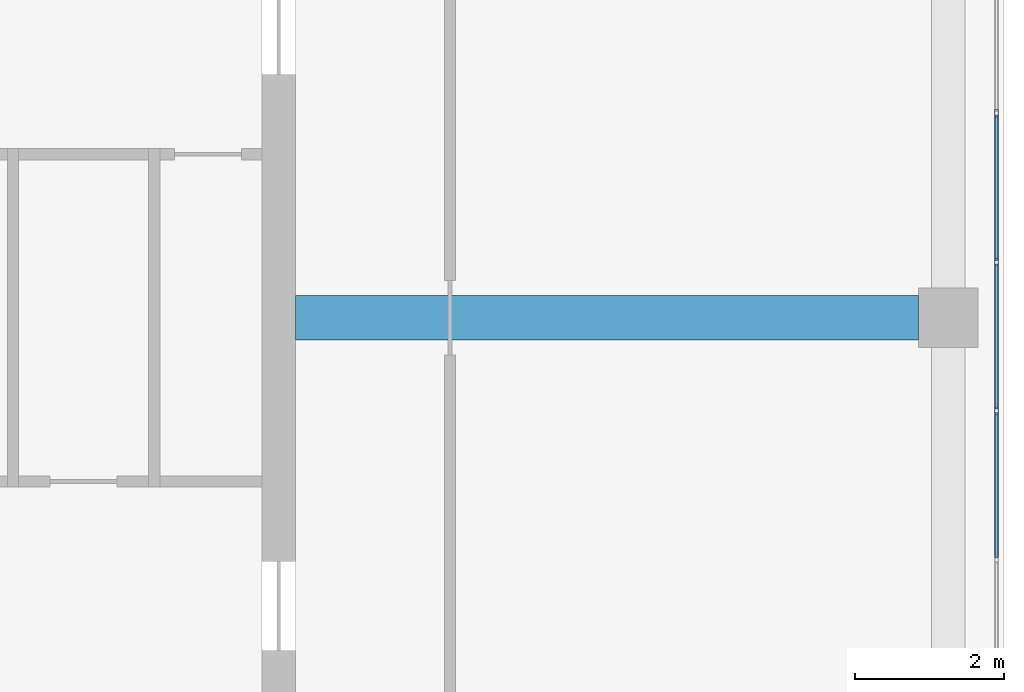
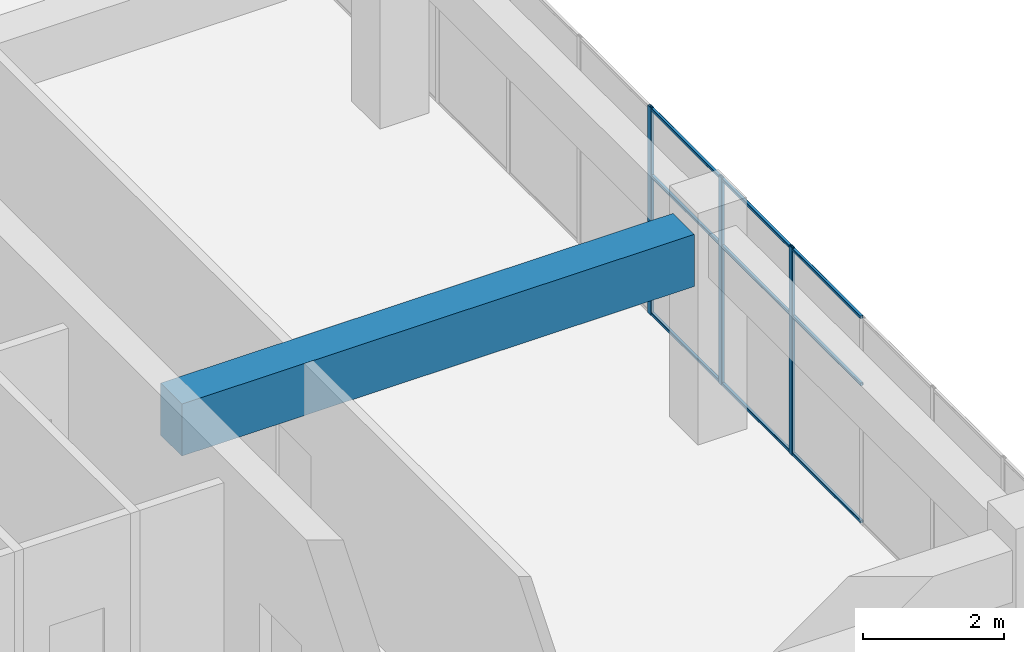
# One storey, part 49 of 72: 12 members, 1 beam, 1 element without a shape of its own.
"""IFC4 building model written with IfcOpenShell, lengths in metres."""

from ifc_helpers import new_model, si_unit, direction, frame, origin, origin_2d, place, context, subcontext, project, spatial, rectangle, hollow_rectangle, extrude, material, layer, layer_set, material_profile, profile_set, type_object, element, aggregate, save


model = new_model("IFC4")

# Units and contexts
model_context = context("Model", 3, precision=1e-05, world=origin(), true_north=direction((0.0, 1.0)))
body_context = subcontext(model_context, "Body", "Model", "MODEL_VIEW")
ifc_project = project(units=[si_unit("LENGTHUNIT", "METRE"), si_unit("AREAUNIT", "SQUARE_METRE"), si_unit("VOLUMEUNIT", "CUBIC_METRE"), si_unit("PLANEANGLEUNIT", "RADIAN"), si_unit("MASSUNIT", "GRAM", prefix="KILO")], contexts=[model_context])

# Site, building, storey
site_placement = place(None, origin())
site = spatial("IfcSite", under=ifc_project, at=site_placement, CompositionType="ELEMENT")
building_placement = place(site_placement, origin())
building = spatial("IfcBuilding", under=site, at=building_placement, Name="Tuart Plaza Theatre", CompositionType="ELEMENT")
storey_placement = place(building_placement, frame((0.0, 0.0, 13.5)))
storey = spatial("IfcBuildingStorey", under=building, at=storey_placement, Name="L03", CompositionType="ELEMENT", Elevation=13.5)

# Beam
ifc_material_1 = material(Name="Concrete N40 (40 MPa)", Category="concrete")
ifc_material_profile_1 = material_profile(ifc_material_1, rectangle(XDim=0.60009765625, YDim=0.89990234375, at=origin_2d()), Name="BEAM 600x900 Concrete N40 (40 MPa)")
ifc_profile_set_1 = profile_set([ifc_material_profile_1], Name="Concrete N40 (40 MPa)")
beam_type = type_object("IfcBeamType", Name="BEAM 600x900 Concrete N40 (40 MPa)", PredefinedType="BEAM", material=ifc_profile_set_1)
beam_placement = place(storey_placement, frame((141.22509765625, 74.0, 3.1298828125), z_axis=(1.0, 0.0, 0.0), x_axis=(0.0, 1.0, 0.0)))
element("IfcBeam", 1, at=beam_placement, inside=storey, type_object=beam_type, Name="RB195", PredefinedType="BEAM", context=body_context, shape_type="SweptSolid", body=[
    extrude(rectangle(XDim=0.60009765625, YDim=0.89990234375, at=origin_2d()), origin(), (0.0, 0.0, 1.0), 8.375),
])

# Curtain wall, members
ifc_material_2 = material(Name="Aluminium and glass", Category="aluminium")
ifc_layer = layer(ifc_material_2, 0.10009765625)
ifc_layer_set = layer_set([ifc_layer], Name="CURTAIN WALL 2000 module")
curtain_wall_type = type_object("IfcCurtainWallType", Name="CURTAIN WALL 2000 module", PredefinedType="NOTDEFINED", material=ifc_layer_set)
curtain_wall_placement = place(storey_placement, origin())
curtain_wall = element("IfcCurtainWall", 2, at=curtain_wall_placement, inside=storey, type_object=curtain_wall_type, Name="CW69", PredefinedType="NOTDEFINED")
ifc_material_3 = material(Name="Aluminium 6063-T5", Category="aluminium")
ifc_material_profile_2 = material_profile(ifc_material_3, hollow_rectangle(XDim=0.050048828125, YDim=0.10009765625, WallThickness=0.00390625, InnerFilletRadius=0.00390625, OuterFilletRadius=0.008056640625, at=origin_2d()), Name="RHS 100x50x4")
ifc_profile_set_2 = profile_set([ifc_material_profile_2], Name="Aluminium 6063-T5")
member_type_1 = type_object("IfcMemberType", Name="MULLION RHS 100x50x4", PredefinedType="MULLION", material=ifc_profile_set_2)
member_1_placement = place(storey_placement, frame((150.64990234375, 72.75, 0.0), z_axis=(0.0, 0.0, 1.0), x_axis=(-1.0, 0.0, 0.0)))
member_1 = element("IfcMember", 3, at=member_1_placement, type_object=member_type_1, Name="CW69 mullion 12", PredefinedType="MULLION", context=body_context, shape_type="SweptSolid", body=[
    extrude(hollow_rectangle(XDim=0.050048828125, YDim=0.10009765625, WallThickness=0.00390625, InnerFilletRadius=0.00390625, OuterFilletRadius=0.008056640625, at=origin_2d()), origin(), (0.0, 0.0, 1.0), 3.580078125),
])
member_2_placement = place(storey_placement, frame((150.64990234375, 74.75, 0.0), z_axis=(0.0, 0.0, 1.0), x_axis=(-1.0, 0.0, 0.0)))
member_2 = element("IfcMember", 4, at=member_2_placement, type_object=member_type_1, Name="CW69 mullion 13", PredefinedType="MULLION", context=body_context, shape_type="SweptSolid", body=[
    extrude(hollow_rectangle(XDim=0.050048828125, YDim=0.10009765625, WallThickness=0.00390625, InnerFilletRadius=0.00390625, OuterFilletRadius=0.008056640625, at=origin_2d()), origin(), (0.0, 0.0, 1.0), 3.580078125),
])
member_3_placement = place(storey_placement, frame((150.64990234375, 76.75, 0.0), z_axis=(0.0, 0.0, 1.0), x_axis=(-1.0, 0.0, 0.0)))
member_3 = element("IfcMember", 5, at=member_3_placement, type_object=member_type_1, Name="CW69 mullion 14", PredefinedType="MULLION", context=body_context, shape_type="SweptSolid", body=[
    extrude(hollow_rectangle(XDim=0.050048828125, YDim=0.10009765625, WallThickness=0.00390625, InnerFilletRadius=0.00390625, OuterFilletRadius=0.008056640625, at=origin_2d()), origin(), (0.0, 0.0, 1.0), 3.580078125),
])
ifc_material_4 = material(Name="Aluminium 6063-T5", Category="aluminium")
ifc_material_profile_3 = material_profile(ifc_material_4, hollow_rectangle(XDim=0.050048828125, YDim=0.050048828125, WallThickness=0.00390625, InnerFilletRadius=0.00390625, OuterFilletRadius=0.008056640625, at=origin_2d()), Name="RHS 50x50x4")
ifc_profile_set_3 = profile_set([ifc_material_profile_3], Name="Aluminium 6063-T5")
member_type_2 = type_object("IfcMemberType", Name="TRANSOM RHS 50x50x4", PredefinedType="USERDEFINED", material=ifc_profile_set_3)
member_4_placement = place(storey_placement, frame((150.64990234375, 70.77490234375, 0.02490234375), z_axis=(0.0, 1.0, 0.0), x_axis=(-1.0, 0.0, 0.0)))
member_4 = element("IfcMember", 6, at=member_4_placement, type_object=member_type_2, Name="CW69 transom 11.1", ObjectType="TRANSOM", PredefinedType="USERDEFINED", context=body_context, shape_type="SweptSolid", body=[
    extrude(hollow_rectangle(XDim=0.050048828125, YDim=0.050048828125, WallThickness=0.00390625, InnerFilletRadius=0.00390625, OuterFilletRadius=0.008056640625, at=origin_2d()), origin(), (0.0, 0.0, 1.0), 1.9501953125),
])
member_5_placement = place(storey_placement, frame((150.64990234375, 70.77490234375, 2.39990234375), z_axis=(0.0, 1.0, 0.0), x_axis=(-1.0, 0.0, 0.0)))
member_5 = element("IfcMember", 7, at=member_5_placement, type_object=member_type_2, Name="CW69 transom 11.2", ObjectType="TRANSOM", PredefinedType="USERDEFINED", context=body_context, shape_type="SweptSolid", body=[
    extrude(hollow_rectangle(XDim=0.050048828125, YDim=0.050048828125, WallThickness=0.00390625, InnerFilletRadius=0.00390625, OuterFilletRadius=0.008056640625, at=origin_2d()), origin(), (0.0, 0.0, 1.0), 1.9501953125),
])
member_6_placement = place(storey_placement, frame((150.64990234375, 70.77490234375, 3.554931640625), z_axis=(0.0, 1.0, 0.0), x_axis=(-1.0, 0.0, 0.0)))
member_6 = element("IfcMember", 8, at=member_6_placement, type_object=member_type_2, Name="CW69 transom 11.3", ObjectType="TRANSOM", PredefinedType="USERDEFINED", context=body_context, shape_type="SweptSolid", body=[
    extrude(hollow_rectangle(XDim=0.050048828125, YDim=0.050048828125, WallThickness=0.00390625, InnerFilletRadius=0.00390625, OuterFilletRadius=0.008056640625, at=origin_2d()), origin(), (0.0, 0.0, 1.0), 1.9501953125),
])
member_7_placement = place(storey_placement, frame((150.64990234375, 72.77490234375, 0.02490234375), z_axis=(0.0, 1.0, 0.0), x_axis=(-1.0, 0.0, 0.0)))
member_7 = element("IfcMember", 9, at=member_7_placement, type_object=member_type_2, Name="CW69 transom 12.1", ObjectType="TRANSOM", PredefinedType="USERDEFINED", context=body_context, shape_type="SweptSolid", body=[
    extrude(hollow_rectangle(XDim=0.050048828125, YDim=0.050048828125, WallThickness=0.00390625, InnerFilletRadius=0.00390625, OuterFilletRadius=0.008056640625, at=origin_2d()), origin(), (0.0, 0.0, 1.0), 1.9501953125),
])
member_8_placement = place(storey_placement, frame((150.64990234375, 72.77490234375, 2.39990234375), z_axis=(0.0, 1.0, 0.0), x_axis=(-1.0, 0.0, 0.0)))
member_8 = element("IfcMember", 10, at=member_8_placement, type_object=member_type_2, Name="CW69 transom 12.2", ObjectType="TRANSOM", PredefinedType="USERDEFINED", context=body_context, shape_type="SweptSolid", body=[
    extrude(hollow_rectangle(XDim=0.050048828125, YDim=0.050048828125, WallThickness=0.00390625, InnerFilletRadius=0.00390625, OuterFilletRadius=0.008056640625, at=origin_2d()), origin(), (0.0, 0.0, 1.0), 1.9501953125),
])
member_9_placement = place(storey_placement, frame((150.64990234375, 72.77490234375, 3.554931640625), z_axis=(0.0, 1.0, 0.0), x_axis=(-1.0, 0.0, 0.0)))
member_9 = element("IfcMember", 11, at=member_9_placement, type_object=member_type_2, Name="CW69 transom 12.3", ObjectType="TRANSOM", PredefinedType="USERDEFINED", context=body_context, shape_type="SweptSolid", body=[
    extrude(hollow_rectangle(XDim=0.050048828125, YDim=0.050048828125, WallThickness=0.00390625, InnerFilletRadius=0.00390625, OuterFilletRadius=0.008056640625, at=origin_2d()), origin(), (0.0, 0.0, 1.0), 1.9501953125),
])
member_10_placement = place(storey_placement, frame((150.64990234375, 74.77490234375, 0.02490234375), z_axis=(0.0, 1.0, 0.0), x_axis=(-1.0, 0.0, 0.0)))
member_10 = element("IfcMember", 12, at=member_10_placement, type_object=member_type_2, Name="CW69 transom 13.1", ObjectType="TRANSOM", PredefinedType="USERDEFINED", context=body_context, shape_type="SweptSolid", body=[
    extrude(hollow_rectangle(XDim=0.050048828125, YDim=0.050048828125, WallThickness=0.00390625, InnerFilletRadius=0.00390625, OuterFilletRadius=0.008056640625, at=origin_2d()), origin(), (0.0, 0.0, 1.0), 1.9501953125),
])
member_11_placement = place(storey_placement, frame((150.64990234375, 74.77490234375, 2.39990234375), z_axis=(0.0, 1.0, 0.0), x_axis=(-1.0, 0.0, 0.0)))
member_11 = element("IfcMember", 13, at=member_11_placement, type_object=member_type_2, Name="CW69 transom 13.2", ObjectType="TRANSOM", PredefinedType="USERDEFINED", context=body_context, shape_type="SweptSolid", body=[
    extrude(hollow_rectangle(XDim=0.050048828125, YDim=0.050048828125, WallThickness=0.00390625, InnerFilletRadius=0.00390625, OuterFilletRadius=0.008056640625, at=origin_2d()), origin(), (0.0, 0.0, 1.0), 1.9501953125),
])
member_12_placement = place(storey_placement, frame((150.64990234375, 74.77490234375, 3.554931640625), z_axis=(0.0, 1.0, 0.0), x_axis=(-1.0, 0.0, 0.0)))
member_12 = element("IfcMember", 14, at=member_12_placement, type_object=member_type_2, Name="CW69 transom 13.3", ObjectType="TRANSOM", PredefinedType="USERDEFINED", context=body_context, shape_type="SweptSolid", body=[
    extrude(hollow_rectangle(XDim=0.050048828125, YDim=0.050048828125, WallThickness=0.00390625, InnerFilletRadius=0.00390625, OuterFilletRadius=0.008056640625, at=origin_2d()), origin(), (0.0, 0.0, 1.0), 1.9501953125),
])
aggregate(curtain_wall, [member_1, member_2, member_3, member_4, member_5, member_6, member_7, member_8, member_9, member_10, member_11, member_12])

save(model, "model.ifc")
